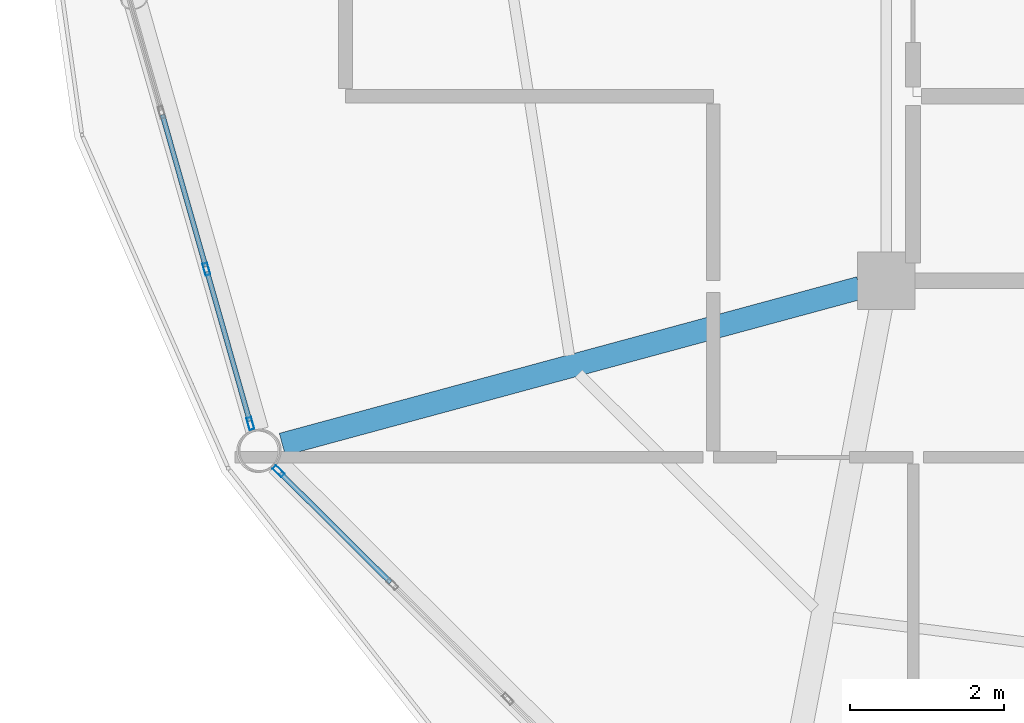
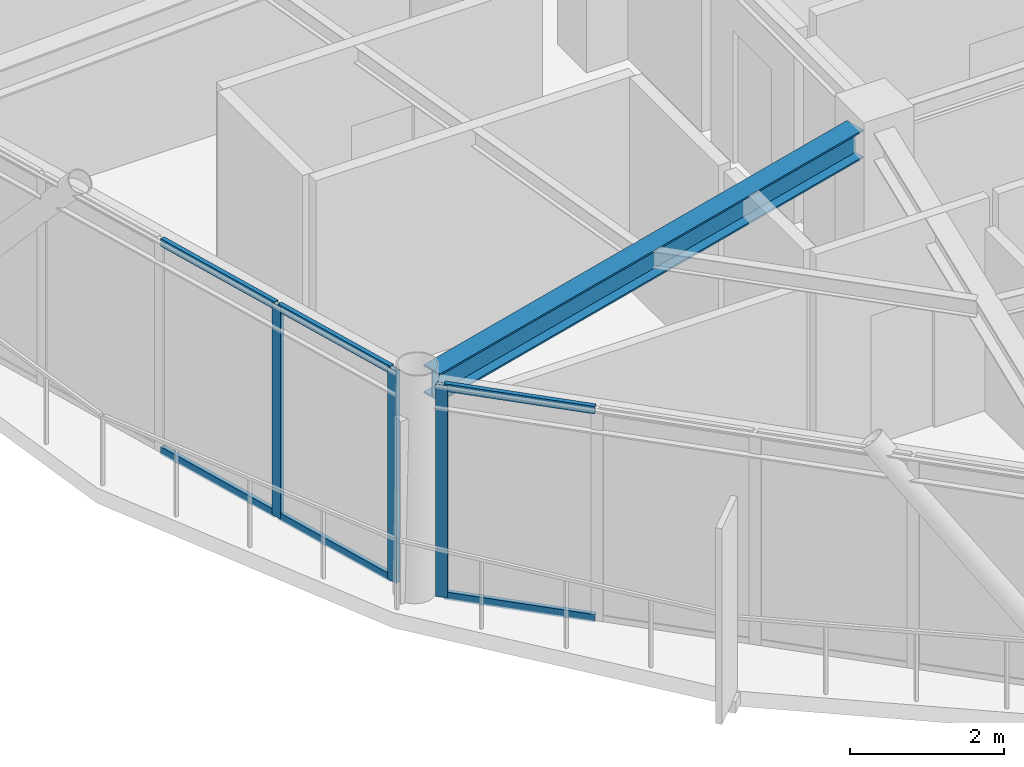
# One storey, part 4 of 24: 9 members, 1 beam, 2 elements without a shape of their own.
"""IFC4 building model written with IfcOpenShell, lengths in metres."""

from ifc_helpers import new_model, si_unit, direction, frame, origin, origin_2d, place, context, subcontext, project, spatial, hollow_rectangle, i_section, extrude, material, layer, layer_set, material_profile, profile_set, type_object, element, aggregate, save


model = new_model("IFC4")

# Units and contexts
model_context = context("Model", 3, precision=1e-05, world=origin(), true_north=direction((0.0, 1.0)))
body_context = subcontext(model_context, "Body", "Model", "MODEL_VIEW")
ifc_project = project(units=[si_unit("LENGTHUNIT", "METRE"), si_unit("AREAUNIT", "SQUARE_METRE"), si_unit("VOLUMEUNIT", "CUBIC_METRE"), si_unit("PLANEANGLEUNIT", "RADIAN"), si_unit("MASSUNIT", "GRAM", prefix="KILO")], contexts=[model_context])

# Site, building, storey
site_placement = place(None, origin())
site = spatial("IfcSite", under=ifc_project, at=site_placement, CompositionType="ELEMENT")
building_placement = place(site_placement, origin())
building = spatial("IfcBuilding", under=site, at=building_placement, Name="Varnakorn Sky Granary", CompositionType="ELEMENT")
storey_placement = place(building_placement, frame((0.0, 0.0, 281.39990234375)))
storey = spatial("IfcBuildingStorey", under=building, at=storey_placement, Name="L72", CompositionType="ELEMENT", Elevation=281.39990234375)

# Beam
ifc_material_1 = material(Name="Steel S355JR", Category="steel")
ifc_material_profile_1 = material_profile(ifc_material_1, i_section(OverallWidth=0.300048828125, OverallDepth=0.449951171875, WebThickness=0.013916015625, FlangeThickness=0.02587890625, at=origin_2d()), Name="HE 450 B")
ifc_profile_set_1 = profile_set([ifc_material_profile_1], Name="Steel S355JR")
beam_type = type_object("IfcBeamType", Name="BM-RAD-Z5", PredefinedType="BEAM", material=ifc_profile_set_1)
beam_placement = place(storey_placement, frame((-2.692626953125, -6.69287109375, 3.135009765625), z_axis=(-0.965167840281, -0.26163149674, 0.0), x_axis=(0.26163149674, -0.965167840281, 0.0)))
element("IfcBeam", 1, at=beam_placement, inside=storey, type_object=beam_type, Name="Radial Floor Girder RG08 L72", PredefinedType="BEAM", context=body_context, shape_type="SweptSolid", body=[
    extrude(i_section(OverallWidth=0.300048828125, OverallDepth=0.449951171875, WebThickness=0.013916015625, FlangeThickness=0.02587890625, at=origin_2d()), origin(), (0.0, 0.0, 1.0), 7.787109375),
])

# Curtain wall, members
ifc_material_2 = material(Name="Anodised Bronze Aluminium Alloy 6063-T6", Category="aluminium")
ifc_layer = layer(ifc_material_2, 0.159912109375, Name="Anodised Bronze Aluminium Alloy 6063-T6")
ifc_layer_set = layer_set([ifc_layer], Name="Anodised Bronze Aluminium Alloy 6063-T6")
curtain_wall_type = type_object("IfcCurtainWallType", Name="CW-OFF-1", PredefinedType="USERDEFINED", material=ifc_layer_set)
curtain_wall_1_placement = place(storey_placement, origin())
curtain_wall_1 = element("IfcCurtainWall", 2, at=curtain_wall_1_placement, inside=storey, type_object=curtain_wall_type, Name="Unitised Curtain Wall CW6 CW-L72-B07", ObjectType="CURTAIN WALL", PredefinedType="USERDEFINED")
ifc_material_profile_2 = material_profile(ifc_material_2, hollow_rectangle(XDim=0.06494140625, YDim=0.159912109375, WallThickness=0.00341796875, at=origin_2d()), Name="ALU MULL 65x160")
ifc_profile_set_2 = profile_set([ifc_material_profile_2], Name="Anodised Bronze Aluminium Alloy 6063-T6")
member_type_1 = type_object("IfcMemberType", Name="CW-OFF-1-MULL", PredefinedType="MULLION", material=ifc_profile_set_2)
member_1_placement = place(storey_placement, frame((-10.6240234375, -8.458740234375, 0.0), z_axis=(0.0, 0.0, 1.0), x_axis=(-0.961698903399, -0.274108042934, 0.0)))
member_1 = element("IfcMember", 3, at=member_1_placement, type_object=member_type_1, Name="CW6 mullion 1", PredefinedType="MULLION", context=body_context, shape_type="SweptSolid", body=[
    extrude(hollow_rectangle(XDim=0.06494140625, YDim=0.159912109375, WallThickness=0.00341796875, at=origin_2d()), origin(), (0.0, 0.0, 1.0), 3.360107421875),
])
member_2_placement = place(storey_placement, frame((-11.19677734375, -6.44921875, 0.0), z_axis=(0.0, 0.0, 1.0), x_axis=(-0.961698903399, -0.274108042934, 0.0)))
member_2 = element("IfcMember", 4, at=member_2_placement, type_object=member_type_1, Name="CW6 mullion 2", PredefinedType="MULLION", context=body_context, shape_type="SweptSolid", body=[
    extrude(hollow_rectangle(XDim=0.06494140625, YDim=0.159912109375, WallThickness=0.00341796875, at=origin_2d()), origin(), (0.0, 0.0, 1.0), 3.360107421875),
])

# Curtain wall, member
curtain_wall_2_placement = place(storey_placement, origin())
curtain_wall_2 = element("IfcCurtainWall", 5, at=curtain_wall_2_placement, inside=storey, type_object=curtain_wall_type, Name="Unitised Curtain Wall CW6 CW-L72-B08", ObjectType="CURTAIN WALL", PredefinedType="USERDEFINED")
member_3_placement = place(storey_placement, frame((-10.258056640625, -9.07861328125, 0.0), z_axis=(0.0, 0.0, 1.0), x_axis=(-0.704761759046, -0.709444052048, 0.0)))
member_3 = element("IfcMember", 6, at=member_3_placement, type_object=member_type_1, Name="CW6 mullion 5", PredefinedType="MULLION", context=body_context, shape_type="SweptSolid", body=[
    extrude(hollow_rectangle(XDim=0.06494140625, YDim=0.159912109375, WallThickness=0.00341796875, at=origin_2d()), origin(), (0.0, 0.0, 1.0), 3.360107421875),
])

# Member
ifc_material_profile_3 = material_profile(ifc_material_2, hollow_rectangle(XDim=0.06494140625, YDim=0.1201171875, WallThickness=0.00341796875, at=origin_2d()), Name="ALU TRAN 65x120")
ifc_profile_set_3 = profile_set([ifc_material_profile_3], Name="Anodised Bronze Aluminium Alloy 6063-T6")
member_type_2 = type_object("IfcMemberType", Name="CW-OFF-1-TRAN", PredefinedType="USERDEFINED", material=ifc_profile_set_3)
member_4_placement = place(storey_placement, frame((-10.6328125, -8.427490234375, 0.03271484375), z_axis=(-0.274211444897, 0.961669425264, 0.0), x_axis=(-0.961669425264, -0.274211444897, 0.0)))
member_4 = element("IfcMember", 7, at=member_4_placement, type_object=member_type_2, Name="CW6 transom 1.1", ObjectType="TRANSOM", PredefinedType="USERDEFINED", context=body_context, shape_type="SweptSolid", body=[
    extrude(hollow_rectangle(XDim=0.06494140625, YDim=0.1201171875, WallThickness=0.00341796875, at=origin_2d()), origin(), (0.0, 0.0, 1.0), 2.024658203125),
])

member_5_placement = place(storey_placement, frame((-10.6328125, -8.427490234375, 3.32763671875), z_axis=(-0.274211444897, 0.961669425264, 0.0), x_axis=(-0.961669425264, -0.274211444897, 0.0)))
member_5 = element("IfcMember", 8, at=member_5_placement, type_object=member_type_2, Name="CW6 transom 1.2", ObjectType="TRANSOM", PredefinedType="USERDEFINED", context=body_context, shape_type="SweptSolid", body=[
    extrude(hollow_rectangle(XDim=0.06494140625, YDim=0.1201171875, WallThickness=0.00341796875, at=origin_2d()), origin(), (0.0, 0.0, 1.0), 2.024658203125),
])

member_6_placement = place(storey_placement, frame((-11.205810546875, -6.41796875, 0.03271484375), z_axis=(-0.274015733899, 0.961725208974, 0.0), x_axis=(-0.961725208974, -0.274015733899, 0.0)))
member_6 = element("IfcMember", 9, at=member_6_placement, type_object=member_type_2, Name="CW6 transom 2.1", ObjectType="TRANSOM", PredefinedType="USERDEFINED", context=body_context, shape_type="SweptSolid", body=[
    extrude(hollow_rectangle(XDim=0.06494140625, YDim=0.1201171875, WallThickness=0.00341796875, at=origin_2d()), origin(), (0.0, 0.0, 1.0), 2.057373046875),
])

member_7_placement = place(storey_placement, frame((-11.205810546875, -6.41796875, 3.32763671875), z_axis=(-0.274015733899, 0.961725208974, 0.0), x_axis=(-0.961725208974, -0.274015733899, 0.0)))
member_7 = element("IfcMember", 10, at=member_7_placement, type_object=member_type_2, Name="CW6 transom 2.2", ObjectType="TRANSOM", PredefinedType="USERDEFINED", context=body_context, shape_type="SweptSolid", body=[
    extrude(hollow_rectangle(XDim=0.06494140625, YDim=0.1201171875, WallThickness=0.00341796875, at=origin_2d()), origin(), (0.0, 0.0, 1.0), 2.057373046875),
])

aggregate(curtain_wall_1, [member_1, member_2, member_4, member_5, member_6, member_7])

member_8_placement = place(storey_placement, frame((-8.80029296875, -10.52685546875, 0.03271484375), z_axis=(-0.709456854507, 0.704748871296, 0.0), x_axis=(-0.704748871296, -0.709456854507, 0.0)))
member_8 = element("IfcMember", 11, at=member_8_placement, type_object=member_type_2, Name="CW6 transom 4.1", ObjectType="TRANSOM", PredefinedType="USERDEFINED", context=body_context, shape_type="SweptSolid", body=[
    extrude(hollow_rectangle(XDim=0.06494140625, YDim=0.1201171875, WallThickness=0.00341796875, at=origin_2d()), origin(), (0.0, 0.0, 1.0), 2.0224609375),
])

member_9_placement = place(storey_placement, frame((-8.80029296875, -10.52685546875, 3.32763671875), z_axis=(-0.709456854507, 0.704748871296, 0.0), x_axis=(-0.704748871296, -0.709456854507, 0.0)))
member_9 = element("IfcMember", 12, at=member_9_placement, type_object=member_type_2, Name="CW6 transom 4.2", ObjectType="TRANSOM", PredefinedType="USERDEFINED", context=body_context, shape_type="SweptSolid", body=[
    extrude(hollow_rectangle(XDim=0.06494140625, YDim=0.1201171875, WallThickness=0.00341796875, at=origin_2d()), origin(), (0.0, 0.0, 1.0), 2.0224609375),
])

aggregate(curtain_wall_2, [member_3, member_8, member_9])

save(model, "model.ifc")
